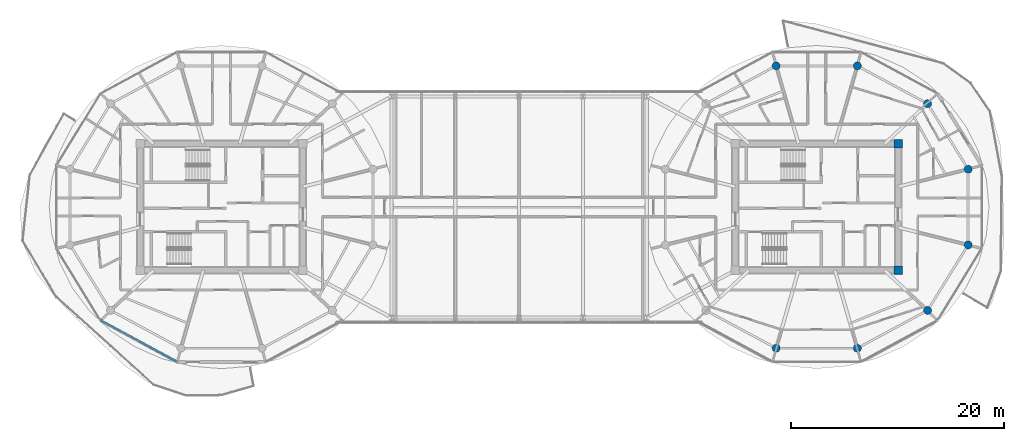
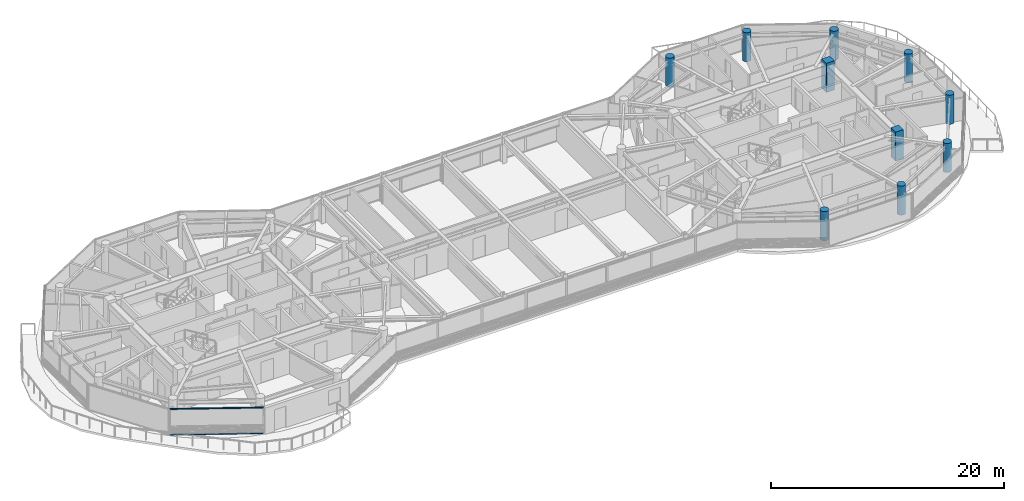
# One storey, part 2 of 24: 10 columns, 2 members, 1 element without a shape of its own.
"""IFC4 building model written with IfcOpenShell, lengths in metres."""

from ifc_helpers import new_model, si_unit, direction, frame, origin, origin_2d, place, context, subcontext, project, spatial, rectangle, circle, extrude, source, transform, mapped, material, layer, layer_set, material_profile, profile_set, type_object, type_shapes, element, aggregate, save


model = new_model("IFC4")

# Units and contexts
model_context = context("Model", 3, precision=1e-05, world=origin(), true_north=direction((0.0, 1.0)))
body_context = subcontext(model_context, "Body", "Model", "MODEL_VIEW")
ifc_project = project(units=[si_unit("LENGTHUNIT", "METRE"), si_unit("AREAUNIT", "SQUARE_METRE"), si_unit("VOLUMEUNIT", "CUBIC_METRE"), si_unit("PLANEANGLEUNIT", "RADIAN"), si_unit("MASSUNIT", "GRAM", prefix="KILO")], contexts=[model_context])

# Site, building, storey
site_placement = place(None, origin())
site = spatial("IfcSite", under=ifc_project, at=site_placement, CompositionType="ELEMENT")
building_placement = place(site_placement, origin())
building = spatial("IfcBuilding", under=site, at=building_placement, Name="Norrkilde Senior Care Towers", CompositionType="ELEMENT")
storey_placement = place(building_placement, frame((0.0, 0.0, 223.050048828125)))
storey = spatial("IfcBuildingStorey", under=building, at=storey_placement, Name="L69", CompositionType="ELEMENT", Elevation=223.050048828125)

# Columns
ifc_material_1 = material(Name="Concrete C60/75", Category="concrete")
ifc_material_profile_1 = material_profile(ifc_material_1, rectangle(XDim=0.800048828125, YDim=0.800048828125, at=origin_2d()), Name="RC COL 800x800")
ifc_profile_set_1 = profile_set([ifc_material_profile_1], Name="Concrete C60/75")
column_type_1 = type_object("IfcColumnType", Name="Column Core Corner Z3-Z4 800", PredefinedType="COLUMN", material=ifc_profile_set_1)
shared_shape_1 = source(origin(), body_context, "Body", "SweptSolid", [
    extrude(rectangle(XDim=0.800048828125, YDim=0.800048828125, at=origin_2d()), origin(), (0.0, 0.0, 1.0), 3.050048828125),
])
type_shapes(column_type_1, [shared_shape_1])
for number, where, z_axis, x_axis, name in (
    (1, (35.64990234375, -5.949951171875, 0.0), (0.0, 0.0, 1.0), (1.0, 0.0, 0.0), "L69 Core E Corner Column 2"),
    (2, (35.64990234375, 5.949951171875, 0.0), (0.0, 0.0, 1.0), (1.0, 0.0, 0.0), "L69 Core E Corner Column 3"),
):
    element("IfcColumn", number, at=place(storey_placement, frame(where, z_axis=z_axis, x_axis=x_axis)), inside=storey, type_object=column_type_1, Name=name, PredefinedType="COLUMN", context=body_context, shape_type="MappedRepresentation", body=[
        mapped(shared_shape_1, transform((0.0, 0.0, 0.0), x_axis=(1.0, 0.0, 0.0), y_axis=(0.0, 1.0, 0.0), z_axis=(0.0, 0.0, 1.0), scale=1.0)),
    ])
ifc_material_2 = material(Name="Concrete C50/60", Category="concrete")
ifc_material_profile_2 = material_profile(ifc_material_2, circle(Radius=0.375, at=origin_2d()), Name="RC CIR 750")
ifc_profile_set_2 = profile_set([ifc_material_profile_2], Name="Concrete C50/60")
column_type_2 = type_object("IfcColumnType", Name="Column Perimeter Z4 750", PredefinedType="COLUMN", material=ifc_profile_set_2)
shared_shape_2 = source(origin(), body_context, "Body", "SweptSolid", [
    extrude(circle(Radius=0.375, at=origin_2d()), origin(), (0.0, 0.0, 1.0), 3.050048828125),
])
type_shapes(column_type_2, [shared_shape_2])
for number, where, z_axis, x_axis, name in (
    (3, (42.247314453125, 3.558837890625, 0.0), (0.0, 0.0, 1.0), (1.0, 0.0, 0.0), "L69 Drum E Perimeter Column 01"),
    (4, (38.429931640625, 9.72265625, 0.0), (0.0, 0.0, 1.0), (1.0, 0.0, 0.0), "L69 Drum E Perimeter Column 02"),
    (5, (31.817626953125, 13.281494140625, 0.0), (0.0, 0.0, 1.0), (1.0, 0.0, 0.0), "L69 Drum E Perimeter Column 03"),
    (6, (24.182373046875, 13.281494140625, 0.0), (0.0, 0.0, 1.0), (1.0, 0.0, 0.0), "L69 Drum E Perimeter Column 04"),
    (7, (24.182373046875, -13.281494140625, 0.0), (0.0, 0.0, 1.0), (1.0, 0.0, 0.0), "L69 Drum E Perimeter Column 09"),
    (8, (31.817626953125, -13.281494140625, 0.0), (0.0, 0.0, 1.0), (1.0, 0.0, 0.0), "L69 Drum E Perimeter Column 10"),
    (9, (38.429931640625, -9.72265625, 0.0), (0.0, 0.0, 1.0), (1.0, 0.0, 0.0), "L69 Drum E Perimeter Column 11"),
    (10, (42.247314453125, -3.558837890625, 0.0), (0.0, 0.0, 1.0), (1.0, 0.0, 0.0), "L69 Drum E Perimeter Column 12"),
):
    element("IfcColumn", number, at=place(storey_placement, frame(where, z_axis=z_axis, x_axis=x_axis)), inside=storey, type_object=column_type_2, Name=name, PredefinedType="COLUMN", context=body_context, shape_type="MappedRepresentation", body=[
        mapped(shared_shape_2, transform((0.0, 0.0, 0.0), x_axis=(1.0, 0.0, 0.0), y_axis=(0.0, 1.0, 0.0), z_axis=(0.0, 0.0, 1.0), scale=1.0)),
    ])

# Curtain wall, members
ifc_material_3 = material(Name="Triple Low-E Insulated Glazing", Category="glass")
ifc_layer = layer(ifc_material_3, 0.18505859375)
ifc_layer_set = layer_set([ifc_layer], Name="Triple Low-E Insulated Glazing")
curtain_wall_type = type_object("IfcCurtainWallType", Name="CW6 Zone 4 Crown Pavilion Curtain Wall", PredefinedType="NOTDEFINED", material=ifc_layer_set)
curtain_wall_placement = place(storey_placement, origin())
curtain_wall = element("IfcCurtainWall", 11, at=curtain_wall_placement, inside=storey, type_object=curtain_wall_type, Name="L69 Drum W Curtain Wall 07", PredefinedType="NOTDEFINED")
ifc_material_4 = material(Name="Anodised Aluminium", Category="aluminium")
ifc_material_profile_3 = material_profile(ifc_material_4, rectangle(XDim=0.06005859375, YDim=0.1201171875, at=origin_2d()), Name="ALU TRAN 60x120")
ifc_profile_set_3 = profile_set([ifc_material_profile_3], Name="Anodised Aluminium")
member_type = type_object("IfcMemberType", Name="Curtain Wall Transom Typical 60x120", PredefinedType="USERDEFINED", material=ifc_profile_set_3)
shared_shape_3 = source(origin(), body_context, "Body", "SweptSolid", [
    extrude(rectangle(XDim=0.06005859375, YDim=0.1201171875, at=origin_2d()), origin(), (0.0, 0.0, 1.0), 8.0673828125),
])
type_shapes(member_type, [shared_shape_3])
member_1_placement = place(storey_placement, frame((-32.218994140625, -14.53515625, 0.030029296875), z_axis=(-0.87937750072, 0.476125205411, 0.0), x_axis=(-0.476125205411, -0.87937750072, 0.0)))
member_1 = element("IfcMember", 12, at=member_1_placement, type_object=member_type, Name="CW-6 transom 1.1", ObjectType="TRANSOM", PredefinedType="USERDEFINED", context=body_context, shape_type="MappedRepresentation", body=[
    mapped(shared_shape_3, transform((0.0, 0.0, 0.0), x_axis=(1.0, 0.0, 0.0), y_axis=(0.0, 1.0, 0.0), z_axis=(0.0, 0.0, 1.0), scale=1.0)),
])
member_2_placement = place(storey_placement, frame((-32.218994140625, -14.53515625, 2.72998046875), z_axis=(-0.87937750072, 0.476125205411, 0.0), x_axis=(-0.476125205411, -0.87937750072, 0.0)))
member_2 = element("IfcMember", 13, at=member_2_placement, type_object=member_type, Name="CW-6 transom 1.2", ObjectType="TRANSOM", PredefinedType="USERDEFINED", context=body_context, shape_type="MappedRepresentation", body=[
    mapped(shared_shape_3, transform((0.0, 0.0, 0.0), x_axis=(1.0, 0.0, 0.0), y_axis=(0.0, 1.0, 0.0), z_axis=(0.0, 0.0, 1.0), scale=1.0)),
])
aggregate(curtain_wall, [member_1, member_2])

save(model, "model.ifc")
